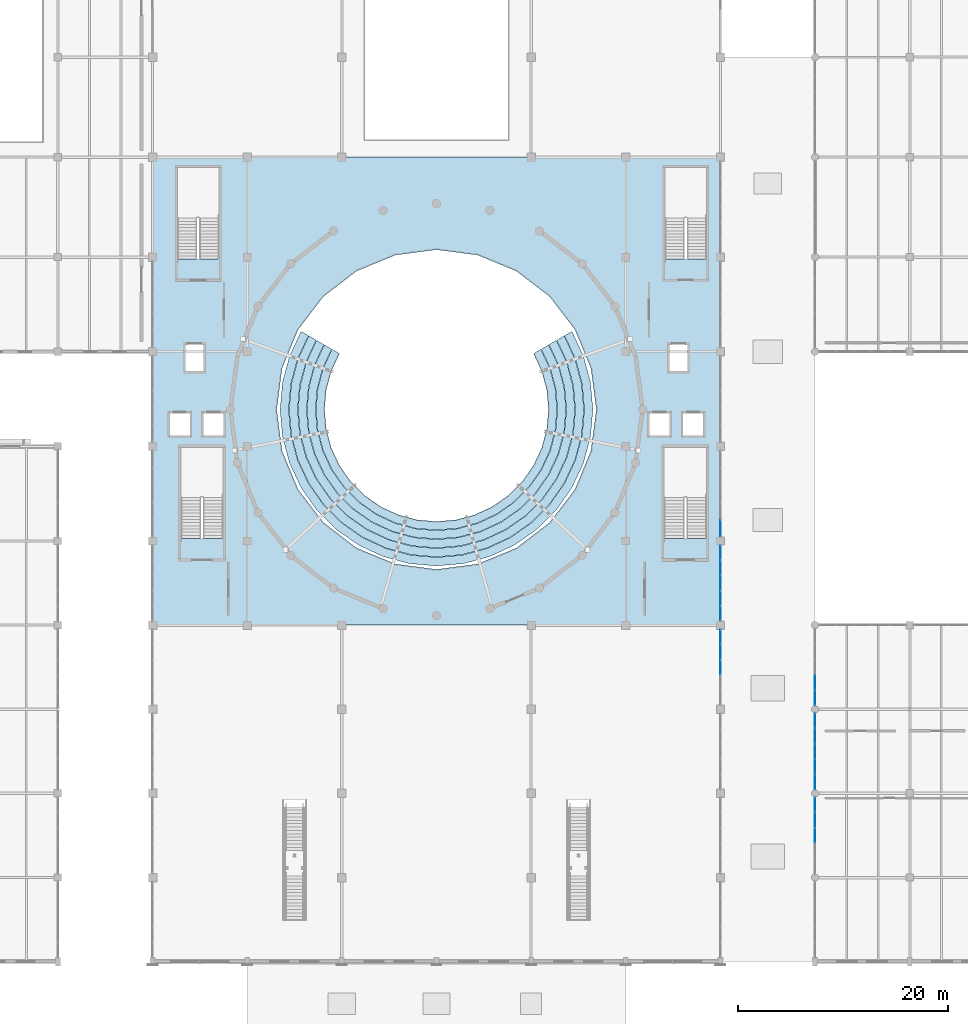
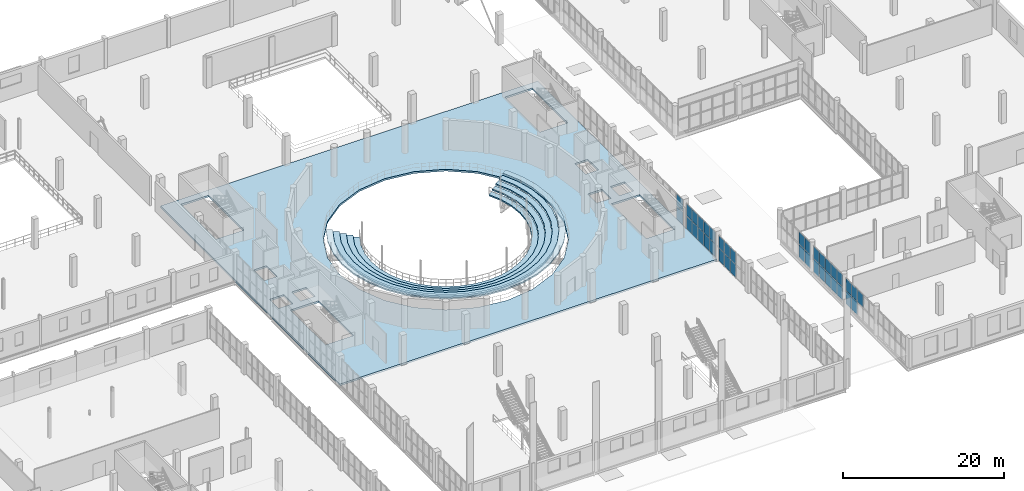
# One storey, part 59 of 93: 37 plates, 6 slabs, 6 elements without a shape of their own.
"""IFC4 building model written with IfcOpenShell, lengths in metres."""

from ifc_helpers import new_model, si_unit, direction, frame, origin, origin_2d, place, context, subcontext, project, spatial, polyline, rectangle, outline, extrude, material, layer, layer_set, type_object, element, aggregate, save


model = new_model("IFC4")

# Units and contexts
model_context = context("Model", 3, precision=1e-05, world=origin(), true_north=direction((0.0, 1.0)))
body_context = subcontext(model_context, "Body", "Model", "MODEL_VIEW")
ifc_project = project(units=[si_unit("LENGTHUNIT", "METRE"), si_unit("AREAUNIT", "SQUARE_METRE"), si_unit("VOLUMEUNIT", "CUBIC_METRE"), si_unit("PLANEANGLEUNIT", "RADIAN"), si_unit("MASSUNIT", "GRAM", prefix="KILO")], contexts=[model_context])

# Site, building, storey
site_placement = place(None, origin())
site = spatial("IfcSite", under=ifc_project, at=site_placement, CompositionType="ELEMENT")
building_placement = place(site_placement, origin())
building = spatial("IfcBuilding", under=site, at=building_placement, Name="Marnock Terrace Opera House", CompositionType="ELEMENT")
storey_placement = place(building_placement, frame((0.0, 0.0, 5.39990234375)))
storey = spatial("IfcBuildingStorey", under=building, at=storey_placement, Name="L01", CompositionType="ELEMENT", Elevation=5.39990234375)

# Curtain wall, plates
ifc_material_1 = material(Name="Anodised architectural bronze aluminium framing", Category="aluminium")
ifc_layer_1 = layer(ifc_material_1, 0.159912109375)
ifc_layer_set_1 = layer_set([ifc_layer_1], Name="Anodised architectural bronze aluminium framing")
curtain_wall_type_1 = type_object("IfcCurtainWallType", Name="CW-FOYER-80x45", PredefinedType="NOTDEFINED", material=ifc_layer_set_1)
curtain_wall_1_placement = place(storey_placement, origin())
curtain_wall_1 = element("IfcCurtainWall", 1, at=curtain_wall_1_placement, inside=storey, type_object=curtain_wall_type_1, Name="L01 glazed Beaux-Arts colonnade curtain wall CW-V1E-L01-04", PredefinedType="NOTDEFINED")
ifc_material_2 = material(Name="Double-glazed acoustic low-E laminated glass", Category="glass")
ifc_layer_2 = layer(ifc_material_2, 0.028076171875)
ifc_layer_set_2 = layer_set([ifc_layer_2], Name="Double-glazed acoustic low-E laminated glass")
plate_type = type_object("IfcPlateType", Name="CWP-GLZ-28", PredefinedType="CURTAIN_PANEL", material=ifc_layer_set_2)
plate_1_placement = place(storey_placement, frame((109.0, 36.0, 0.06005859375), z_axis=(0.0, 0.0, 1.0), x_axis=(0.0, 1.0, 0.0)))
plate_1 = element("IfcPlate", 2, at=plate_1_placement, type_object=plate_type, Name="CW-87 panel 3.1", PredefinedType="CURTAIN_PANEL", context=body_context, shape_type="SweptSolid", body=[
    extrude(rectangle(XDim=1.381591796875, YDim=0.028076171875, at=origin_2d()), origin(), (0.0, 0.0, 1.0), 1.942138671875),
])
plate_2_placement = place(storey_placement, frame((109.0, 36.0, 2.06201171875), z_axis=(0.0, 0.0, 1.0), x_axis=(0.0, 1.0, 0.0)))
plate_2 = element("IfcPlate", 3, at=plate_2_placement, type_object=plate_type, Name="CW-87 panel 3.2", PredefinedType="CURTAIN_PANEL", context=body_context, shape_type="SweptSolid", body=[
    extrude(rectangle(XDim=1.381591796875, YDim=0.028076171875, at=origin_2d()), origin(), (0.0, 0.0, 1.0), 1.785888671875),
])
plate_3_placement = place(storey_placement, frame((109.0, 37.441650390625, 0.06005859375), z_axis=(0.0, 0.0, 1.0), x_axis=(0.0, 1.0, 0.0)))
plate_3 = element("IfcPlate", 4, at=plate_3_placement, type_object=plate_type, Name="CW-87 panel 4.1", PredefinedType="CURTAIN_PANEL", context=body_context, shape_type="SweptSolid", body=[
    extrude(rectangle(XDim=1.381591796875, YDim=0.028076171875, at=origin_2d()), origin(), (0.0, 0.0, 1.0), 1.942138671875),
])
plate_4_placement = place(storey_placement, frame((109.0, 37.441650390625, 2.06201171875), z_axis=(0.0, 0.0, 1.0), x_axis=(0.0, 1.0, 0.0)))
plate_4 = element("IfcPlate", 5, at=plate_4_placement, type_object=plate_type, Name="CW-87 panel 4.2", PredefinedType="CURTAIN_PANEL", context=body_context, shape_type="SweptSolid", body=[
    extrude(rectangle(XDim=1.381591796875, YDim=0.028076171875, at=origin_2d()), origin(), (0.0, 0.0, 1.0), 1.785888671875),
])
plate_5_placement = place(storey_placement, frame((109.0, 38.8681640625, 0.06005859375), z_axis=(0.0, 0.0, 1.0), x_axis=(0.0, 1.0, 0.0)))
plate_5 = element("IfcPlate", 6, at=plate_5_placement, type_object=plate_type, Name="CW-87 panel 5.1", PredefinedType="CURTAIN_PANEL", context=body_context, shape_type="SweptSolid", body=[
    extrude(rectangle(XDim=1.3515625, YDim=0.028076171875, at=origin_2d()), origin(), (0.0, 0.0, 1.0), 1.942138671875),
])
plate_6_placement = place(storey_placement, frame((109.0, 38.8681640625, 2.06201171875), z_axis=(0.0, 0.0, 1.0), x_axis=(0.0, 1.0, 0.0)))
plate_6 = element("IfcPlate", 7, at=plate_6_placement, type_object=plate_type, Name="CW-87 panel 5.2", PredefinedType="CURTAIN_PANEL", context=body_context, shape_type="SweptSolid", body=[
    extrude(rectangle(XDim=1.3515625, YDim=0.028076171875, at=origin_2d()), origin(), (0.0, 0.0, 1.0), 1.785888671875),
])
aggregate(curtain_wall_1, [plate_1, plate_2, plate_3, plate_4, plate_5, plate_6])

curtain_wall_2_placement = place(storey_placement, origin())
curtain_wall_2 = element("IfcCurtainWall", 8, at=curtain_wall_2_placement, inside=storey, type_object=curtain_wall_type_1, Name="L01 glazed Beaux-Arts colonnade curtain wall CW-V1E-L01-05", PredefinedType="NOTDEFINED")
plate_7_placement = place(storey_placement, frame((109.0, 41.1318359375, 0.06005859375), z_axis=(0.0, 0.0, 1.0), x_axis=(0.0, 1.0, 0.0)))
plate_7 = element("IfcPlate", 9, at=plate_7_placement, type_object=plate_type, Name="CW-87 panel 1.1", PredefinedType="CURTAIN_PANEL", context=body_context, shape_type="SweptSolid", body=[
    extrude(rectangle(XDim=1.3515625, YDim=0.028076171875, at=origin_2d()), origin(), (0.0, 0.0, 1.0), 1.942138671875),
])
plate_8_placement = place(storey_placement, frame((109.0, 41.1318359375, 2.06201171875), z_axis=(0.0, 0.0, 1.0), x_axis=(0.0, 1.0, 0.0)))
plate_8 = element("IfcPlate", 10, at=plate_8_placement, type_object=plate_type, Name="CW-87 panel 1.2", PredefinedType="CURTAIN_PANEL", context=body_context, shape_type="SweptSolid", body=[
    extrude(rectangle(XDim=1.3515625, YDim=0.028076171875, at=origin_2d()), origin(), (0.0, 0.0, 1.0), 1.785888671875),
])
plate_9_placement = place(storey_placement, frame((109.0, 42.558349609375, 0.06005859375), z_axis=(0.0, 0.0, 1.0), x_axis=(0.0, 1.0, 0.0)))
plate_9 = element("IfcPlate", 11, at=plate_9_placement, type_object=plate_type, Name="CW-87 panel 2.1", PredefinedType="CURTAIN_PANEL", context=body_context, shape_type="SweptSolid", body=[
    extrude(rectangle(XDim=1.381591796875, YDim=0.028076171875, at=origin_2d()), origin(), (0.0, 0.0, 1.0), 1.942138671875),
])
plate_10_placement = place(storey_placement, frame((109.0, 42.558349609375, 2.06201171875), z_axis=(0.0, 0.0, 1.0), x_axis=(0.0, 1.0, 0.0)))
plate_10 = element("IfcPlate", 12, at=plate_10_placement, type_object=plate_type, Name="CW-87 panel 2.2", PredefinedType="CURTAIN_PANEL", context=body_context, shape_type="SweptSolid", body=[
    extrude(rectangle(XDim=1.381591796875, YDim=0.028076171875, at=origin_2d()), origin(), (0.0, 0.0, 1.0), 1.785888671875),
])
plate_11_placement = place(storey_placement, frame((109.0, 44.0, 0.06005859375), z_axis=(0.0, 0.0, 1.0), x_axis=(0.0, 1.0, 0.0)))
plate_11 = element("IfcPlate", 13, at=plate_11_placement, type_object=plate_type, Name="CW-87 panel 3.1", PredefinedType="CURTAIN_PANEL", context=body_context, shape_type="SweptSolid", body=[
    extrude(rectangle(XDim=1.381591796875, YDim=0.028076171875, at=origin_2d()), origin(), (0.0, 0.0, 1.0), 1.942138671875),
])
plate_12_placement = place(storey_placement, frame((109.0, 44.0, 2.06201171875), z_axis=(0.0, 0.0, 1.0), x_axis=(0.0, 1.0, 0.0)))
plate_12 = element("IfcPlate", 14, at=plate_12_placement, type_object=plate_type, Name="CW-87 panel 3.2", PredefinedType="CURTAIN_PANEL", context=body_context, shape_type="SweptSolid", body=[
    extrude(rectangle(XDim=1.381591796875, YDim=0.028076171875, at=origin_2d()), origin(), (0.0, 0.0, 1.0), 1.785888671875),
])
plate_13_placement = place(storey_placement, frame((109.0, 45.441650390625, 0.06005859375), z_axis=(0.0, 0.0, 1.0), x_axis=(0.0, 1.0, 0.0)))
plate_13 = element("IfcPlate", 15, at=plate_13_placement, type_object=plate_type, Name="CW-87 panel 4.1", PredefinedType="CURTAIN_PANEL", context=body_context, shape_type="SweptSolid", body=[
    extrude(rectangle(XDim=1.381591796875, YDim=0.028076171875, at=origin_2d()), origin(), (0.0, 0.0, 1.0), 1.942138671875),
])
plate_14_placement = place(storey_placement, frame((109.0, 45.441650390625, 2.06201171875), z_axis=(0.0, 0.0, 1.0), x_axis=(0.0, 1.0, 0.0)))
plate_14 = element("IfcPlate", 16, at=plate_14_placement, type_object=plate_type, Name="CW-87 panel 4.2", PredefinedType="CURTAIN_PANEL", context=body_context, shape_type="SweptSolid", body=[
    extrude(rectangle(XDim=1.381591796875, YDim=0.028076171875, at=origin_2d()), origin(), (0.0, 0.0, 1.0), 1.785888671875),
])
plate_15_placement = place(storey_placement, frame((109.0, 46.8681640625, 0.06005859375), z_axis=(0.0, 0.0, 1.0), x_axis=(0.0, 1.0, 0.0)))
plate_15 = element("IfcPlate", 17, at=plate_15_placement, type_object=plate_type, Name="CW-87 panel 5.1", PredefinedType="CURTAIN_PANEL", context=body_context, shape_type="SweptSolid", body=[
    extrude(rectangle(XDim=1.3515625, YDim=0.028076171875, at=origin_2d()), origin(), (0.0, 0.0, 1.0), 1.942138671875),
])
plate_16_placement = place(storey_placement, frame((109.0, 46.8681640625, 2.06201171875), z_axis=(0.0, 0.0, 1.0), x_axis=(0.0, 1.0, 0.0)))
plate_16 = element("IfcPlate", 18, at=plate_16_placement, type_object=plate_type, Name="CW-87 panel 5.2", PredefinedType="CURTAIN_PANEL", context=body_context, shape_type="SweptSolid", body=[
    extrude(rectangle(XDim=1.3515625, YDim=0.028076171875, at=origin_2d()), origin(), (0.0, 0.0, 1.0), 1.785888671875),
])
aggregate(curtain_wall_2, [plate_7, plate_8, plate_9, plate_10, plate_11, plate_12, plate_13, plate_14, plate_15, plate_16])

ifc_layer_3 = layer(ifc_material_1, 0.159912109375)
ifc_layer_set_3 = layer_set([ifc_layer_3], Name="Anodised architectural bronze aluminium framing")
curtain_wall_type_2 = type_object("IfcCurtainWallType", Name="CW-FOYER-90x45", PredefinedType="NOTDEFINED", material=ifc_layer_set_3)
curtain_wall_3_placement = place(storey_placement, origin())
curtain_wall_3 = element("IfcCurtainWall", 19, at=curtain_wall_3_placement, inside=storey, type_object=curtain_wall_type_2, Name="L01 glazed Beaux-Arts colonnade curtain wall CW-V1E-L01-06", PredefinedType="NOTDEFINED")
plate_17_placement = place(storey_placement, frame((109.0, 49.231689453125, 0.06005859375), z_axis=(0.0, 0.0, 1.0), x_axis=(0.0, 1.0, 0.0)))
plate_17 = element("IfcPlate", 20, at=plate_17_placement, type_object=plate_type, Name="CW-27 panel 1.1", PredefinedType="CURTAIN_PANEL", context=body_context, shape_type="SweptSolid", body=[
    extrude(rectangle(XDim=1.551513671875, YDim=0.028076171875, at=origin_2d()), origin(), (0.0, 0.0, 1.0), 1.942138671875),
])
plate_18_placement = place(storey_placement, frame((109.0, 49.231689453125, 2.06201171875), z_axis=(0.0, 0.0, 1.0), x_axis=(0.0, 1.0, 0.0)))
plate_18 = element("IfcPlate", 21, at=plate_18_placement, type_object=plate_type, Name="CW-27 panel 1.2", PredefinedType="CURTAIN_PANEL", context=body_context, shape_type="SweptSolid", body=[
    extrude(rectangle(XDim=1.551513671875, YDim=0.028076171875, at=origin_2d()), origin(), (0.0, 0.0, 1.0), 1.785888671875),
])
aggregate(curtain_wall_3, [plate_17, plate_18])

ifc_layer_4 = layer(ifc_material_1, 0.159912109375)
ifc_layer_set_4 = layer_set([ifc_layer_4], Name="Anodised architectural bronze aluminium framing")
curtain_wall_type_3 = type_object("IfcCurtainWallType", Name="CW-LOGGIA-86x45", PredefinedType="NOTDEFINED", material=ifc_layer_set_4)
curtain_wall_4_placement = place(storey_placement, origin())
curtain_wall_4 = element("IfcCurtainWall", 22, at=curtain_wall_4_placement, inside=storey, type_object=curtain_wall_type_3, Name="L01 glazed Beaux-Arts colonnade curtain wall CW-V5-L01-W2", PredefinedType="NOTDEFINED")
plate_19_placement = place(storey_placement, frame((118.0, 20.0, 2.100830078125), z_axis=(0.0, 0.0, 1.0), x_axis=(0.0, 1.0, 0.0)))
plate_19 = element("IfcPlate", 23, at=plate_19_placement, type_object=plate_type, Name="CW-61 panel 3.2", PredefinedType="CURTAIN_PANEL", context=body_context, shape_type="SweptSolid", body=[
    extrude(rectangle(XDim=1.401611328125, YDim=0.028076171875, at=origin_2d()), origin(), (0.0, 0.0, 1.0), 1.8212890625),
])
plate_20_placement = place(storey_placement, frame((118.0, 21.461669921875, 0.06005859375), z_axis=(0.0, 0.0, 1.0), x_axis=(0.0, 1.0, 0.0)))
plate_20 = element("IfcPlate", 24, at=plate_20_placement, type_object=plate_type, Name="CW-61 panel 4.1", PredefinedType="CURTAIN_PANEL", context=body_context, shape_type="SweptSolid", body=[
    extrude(rectangle(XDim=1.401611328125, YDim=0.028076171875, at=origin_2d()), origin(), (0.0, 0.0, 1.0), 1.980712890625),
])
plate_21_placement = place(storey_placement, frame((118.0, 21.461669921875, 2.100830078125), z_axis=(0.0, 0.0, 1.0), x_axis=(0.0, 1.0, 0.0)))
plate_21 = element("IfcPlate", 25, at=plate_21_placement, type_object=plate_type, Name="CW-61 panel 4.2", PredefinedType="CURTAIN_PANEL", context=body_context, shape_type="SweptSolid", body=[
    extrude(rectangle(XDim=1.401611328125, YDim=0.028076171875, at=origin_2d()), origin(), (0.0, 0.0, 1.0), 1.8212890625),
])
plate_22_placement = place(storey_placement, frame((118.0, 22.908203125, 0.06005859375), z_axis=(0.0, 0.0, 1.0), x_axis=(0.0, 1.0, 0.0)))
plate_22 = element("IfcPlate", 26, at=plate_22_placement, type_object=plate_type, Name="CW-61 panel 5.1", PredefinedType="CURTAIN_PANEL", context=body_context, shape_type="SweptSolid", body=[
    extrude(rectangle(XDim=1.37158203125, YDim=0.028076171875, at=origin_2d()), origin(), (0.0, 0.0, 1.0), 1.980712890625),
])
plate_23_placement = place(storey_placement, frame((118.0, 22.908203125, 2.100830078125), z_axis=(0.0, 0.0, 1.0), x_axis=(0.0, 1.0, 0.0)))
plate_23 = element("IfcPlate", 27, at=plate_23_placement, type_object=plate_type, Name="CW-61 panel 5.2", PredefinedType="CURTAIN_PANEL", context=body_context, shape_type="SweptSolid", body=[
    extrude(rectangle(XDim=1.37158203125, YDim=0.028076171875, at=origin_2d()), origin(), (0.0, 0.0, 1.0), 1.8212890625),
])
aggregate(curtain_wall_4, [plate_19, plate_20, plate_21, plate_22, plate_23])

curtain_wall_5_placement = place(storey_placement, origin())
curtain_wall_5 = element("IfcCurtainWall", 28, at=curtain_wall_5_placement, inside=storey, type_object=curtain_wall_type_3, Name="L01 glazed Beaux-Arts colonnade curtain wall CW-V5-L01-W3", PredefinedType="NOTDEFINED")
plate_24_placement = place(storey_placement, frame((118.0, 25.091796875, 0.06005859375), z_axis=(0.0, 0.0, 1.0), x_axis=(0.0, 1.0, 0.0)))
plate_24 = element("IfcPlate", 29, at=plate_24_placement, type_object=plate_type, Name="CW-61 panel 1.1", PredefinedType="CURTAIN_PANEL", context=body_context, shape_type="SweptSolid", body=[
    extrude(rectangle(XDim=1.37158203125, YDim=0.028076171875, at=origin_2d()), origin(), (0.0, 0.0, 1.0), 1.980712890625),
])
plate_25_placement = place(storey_placement, frame((118.0, 25.091796875, 2.100830078125), z_axis=(0.0, 0.0, 1.0), x_axis=(0.0, 1.0, 0.0)))
plate_25 = element("IfcPlate", 30, at=plate_25_placement, type_object=plate_type, Name="CW-61 panel 1.2", PredefinedType="CURTAIN_PANEL", context=body_context, shape_type="SweptSolid", body=[
    extrude(rectangle(XDim=1.37158203125, YDim=0.028076171875, at=origin_2d()), origin(), (0.0, 0.0, 1.0), 1.8212890625),
])
plate_26_placement = place(storey_placement, frame((118.0, 26.538330078125, 0.06005859375), z_axis=(0.0, 0.0, 1.0), x_axis=(0.0, 1.0, 0.0)))
plate_26 = element("IfcPlate", 31, at=plate_26_placement, type_object=plate_type, Name="CW-61 panel 2.1", PredefinedType="CURTAIN_PANEL", context=body_context, shape_type="SweptSolid", body=[
    extrude(rectangle(XDim=1.401611328125, YDim=0.028076171875, at=origin_2d()), origin(), (0.0, 0.0, 1.0), 1.980712890625),
])
plate_27_placement = place(storey_placement, frame((118.0, 26.538330078125, 2.100830078125), z_axis=(0.0, 0.0, 1.0), x_axis=(0.0, 1.0, 0.0)))
plate_27 = element("IfcPlate", 32, at=plate_27_placement, type_object=plate_type, Name="CW-61 panel 2.2", PredefinedType="CURTAIN_PANEL", context=body_context, shape_type="SweptSolid", body=[
    extrude(rectangle(XDim=1.401611328125, YDim=0.028076171875, at=origin_2d()), origin(), (0.0, 0.0, 1.0), 1.8212890625),
])
plate_28_placement = place(storey_placement, frame((118.0, 28.0, 0.06005859375), z_axis=(0.0, 0.0, 1.0), x_axis=(0.0, 1.0, 0.0)))
plate_28 = element("IfcPlate", 33, at=plate_28_placement, type_object=plate_type, Name="CW-61 panel 3.1", PredefinedType="CURTAIN_PANEL", context=body_context, shape_type="SweptSolid", body=[
    extrude(rectangle(XDim=1.401611328125, YDim=0.028076171875, at=origin_2d()), origin(), (0.0, 0.0, 1.0), 1.980712890625),
])
plate_29_placement = place(storey_placement, frame((118.0, 28.0, 2.100830078125), z_axis=(0.0, 0.0, 1.0), x_axis=(0.0, 1.0, 0.0)))
plate_29 = element("IfcPlate", 34, at=plate_29_placement, type_object=plate_type, Name="CW-61 panel 3.2", PredefinedType="CURTAIN_PANEL", context=body_context, shape_type="SweptSolid", body=[
    extrude(rectangle(XDim=1.401611328125, YDim=0.028076171875, at=origin_2d()), origin(), (0.0, 0.0, 1.0), 1.8212890625),
])
plate_30_placement = place(storey_placement, frame((118.0, 29.461669921875, 0.06005859375), z_axis=(0.0, 0.0, 1.0), x_axis=(0.0, 1.0, 0.0)))
plate_30 = element("IfcPlate", 35, at=plate_30_placement, type_object=plate_type, Name="CW-61 panel 4.1", PredefinedType="CURTAIN_PANEL", context=body_context, shape_type="SweptSolid", body=[
    extrude(rectangle(XDim=1.401611328125, YDim=0.028076171875, at=origin_2d()), origin(), (0.0, 0.0, 1.0), 1.980712890625),
])
plate_31_placement = place(storey_placement, frame((118.0, 29.461669921875, 2.100830078125), z_axis=(0.0, 0.0, 1.0), x_axis=(0.0, 1.0, 0.0)))
plate_31 = element("IfcPlate", 36, at=plate_31_placement, type_object=plate_type, Name="CW-61 panel 4.2", PredefinedType="CURTAIN_PANEL", context=body_context, shape_type="SweptSolid", body=[
    extrude(rectangle(XDim=1.401611328125, YDim=0.028076171875, at=origin_2d()), origin(), (0.0, 0.0, 1.0), 1.8212890625),
])
plate_32_placement = place(storey_placement, frame((118.0, 30.908203125, 0.06005859375), z_axis=(0.0, 0.0, 1.0), x_axis=(0.0, 1.0, 0.0)))
plate_32 = element("IfcPlate", 37, at=plate_32_placement, type_object=plate_type, Name="CW-61 panel 5.1", PredefinedType="CURTAIN_PANEL", context=body_context, shape_type="SweptSolid", body=[
    extrude(rectangle(XDim=1.37158203125, YDim=0.028076171875, at=origin_2d()), origin(), (0.0, 0.0, 1.0), 1.980712890625),
])
plate_33_placement = place(storey_placement, frame((118.0, 30.908203125, 2.100830078125), z_axis=(0.0, 0.0, 1.0), x_axis=(0.0, 1.0, 0.0)))
plate_33 = element("IfcPlate", 38, at=plate_33_placement, type_object=plate_type, Name="CW-61 panel 5.2", PredefinedType="CURTAIN_PANEL", context=body_context, shape_type="SweptSolid", body=[
    extrude(rectangle(XDim=1.37158203125, YDim=0.028076171875, at=origin_2d()), origin(), (0.0, 0.0, 1.0), 1.8212890625),
])
aggregate(curtain_wall_5, [plate_24, plate_25, plate_26, plate_27, plate_28, plate_29, plate_30, plate_31, plate_32, plate_33])

curtain_wall_6_placement = place(storey_placement, origin())
curtain_wall_6 = element("IfcCurtainWall", 39, at=curtain_wall_6_placement, inside=storey, type_object=curtain_wall_type_3, Name="L01 glazed Beaux-Arts colonnade curtain wall CW-V5-L01-W4", PredefinedType="NOTDEFINED")
plate_34_placement = place(storey_placement, frame((118.0, 33.091796875, 0.06005859375), z_axis=(0.0, 0.0, 1.0), x_axis=(0.0, 1.0, 0.0)))
plate_34 = element("IfcPlate", 40, at=plate_34_placement, type_object=plate_type, Name="CW-61 panel 1.1", PredefinedType="CURTAIN_PANEL", context=body_context, shape_type="SweptSolid", body=[
    extrude(rectangle(XDim=1.37158203125, YDim=0.028076171875, at=origin_2d()), origin(), (0.0, 0.0, 1.0), 1.980712890625),
])
plate_35_placement = place(storey_placement, frame((118.0, 33.091796875, 2.100830078125), z_axis=(0.0, 0.0, 1.0), x_axis=(0.0, 1.0, 0.0)))
plate_35 = element("IfcPlate", 41, at=plate_35_placement, type_object=plate_type, Name="CW-61 panel 1.2", PredefinedType="CURTAIN_PANEL", context=body_context, shape_type="SweptSolid", body=[
    extrude(rectangle(XDim=1.37158203125, YDim=0.028076171875, at=origin_2d()), origin(), (0.0, 0.0, 1.0), 1.8212890625),
])
plate_36_placement = place(storey_placement, frame((118.0, 34.538330078125, 0.06005859375), z_axis=(0.0, 0.0, 1.0), x_axis=(0.0, 1.0, 0.0)))
plate_36 = element("IfcPlate", 42, at=plate_36_placement, type_object=plate_type, Name="CW-61 panel 2.1", PredefinedType="CURTAIN_PANEL", context=body_context, shape_type="SweptSolid", body=[
    extrude(rectangle(XDim=1.401611328125, YDim=0.028076171875, at=origin_2d()), origin(), (0.0, 0.0, 1.0), 1.980712890625),
])
plate_37_placement = place(storey_placement, frame((118.0, 34.538330078125, 2.100830078125), z_axis=(0.0, 0.0, 1.0), x_axis=(0.0, 1.0, 0.0)))
plate_37 = element("IfcPlate", 43, at=plate_37_placement, type_object=plate_type, Name="CW-61 panel 2.2", PredefinedType="CURTAIN_PANEL", context=body_context, shape_type="SweptSolid", body=[
    extrude(rectangle(XDim=1.401611328125, YDim=0.028076171875, at=origin_2d()), origin(), (0.0, 0.0, 1.0), 1.8212890625),
])
aggregate(curtain_wall_6, [plate_34, plate_35, plate_36, plate_37])

# Slabs
ifc_material_3 = material(Name="Concrete N40 (f'c = 40 MPa)", Category="concrete")
ifc_layer_5 = layer(ifc_material_3, 0.280029296875)
ifc_layer_set_5 = layer_set([ifc_layer_5], Name="Concrete N40 (f'c = 40 MPa)")
slab_type_1 = type_object("IfcSlabType", Name="SL-FLR-280", PredefinedType="FLOOR", material=ifc_layer_set_5)
slab_1_placement = place(storey_placement, frame((0.0, 0.0, -0.27978515625)))
element("IfcSlab", 44, at=slab_1_placement, inside=storey, type_object=slab_type_1, Name="L01 Auditorium promenade structural floor slab", PredefinedType="FLOOR", context=body_context, shape_type="SweptSolid", body=[
    extrude(outline(polyline([(55.0, 40.0), (109.0, 40.0), (109.0, 84.5), (55.0, 84.5), (55.0, 40.0)]), holes=[polyline([(61.719970703125, 48.239990234375), (61.719970703125, 56.919921875), (57.679931640625, 56.919921875), (57.679931640625, 48.239990234375), (61.719970703125, 48.239990234375)]), polyline([(56.580078125, 57.97998046875), (58.6201171875, 57.97998046875), (58.6201171875, 60.219970703125), (56.580078125, 60.219970703125), (56.580078125, 57.97998046875)]), polyline([(59.780029296875, 57.97998046875), (61.820068359375, 57.97998046875), (61.820068359375, 60.219970703125), (59.780029296875, 60.219970703125), (59.780029296875, 57.97998046875)]), polyline([(107.679931640625, 48.239990234375), (107.679931640625, 56.919921875), (103.639892578125, 56.919921875), (103.639892578125, 48.239990234375), (107.679931640625, 48.239990234375)]), polyline([(102.179931640625, 57.97998046875), (104.219970703125, 57.97998046875), (104.219970703125, 60.219970703125), (102.179931640625, 60.219970703125), (102.179931640625, 57.97998046875)]), polyline([(105.3798828125, 57.97998046875), (107.419921875, 57.97998046875), (107.419921875, 60.219970703125), (105.3798828125, 60.219970703125), (105.3798828125, 57.97998046875)]), polyline([(61.320068359375, 74.800048828125), (61.320068359375, 83.52001953125), (57.360107421875, 83.52001953125), (57.360107421875, 74.800048828125), (61.320068359375, 74.800048828125)]), polyline([(58.080078125, 64.080078125), (59.919921875, 64.080078125), (59.919921875, 66.719970703125), (58.080078125, 66.719970703125), (58.080078125, 64.080078125)]), polyline([(107.679931640625, 74.800048828125), (107.679931640625, 83.52001953125), (103.719970703125, 83.52001953125), (103.719970703125, 74.800048828125), (107.679931640625, 74.800048828125)]), polyline([(104.080078125, 64.080078125), (105.919921875, 64.080078125), (105.919921875, 66.719970703125), (104.080078125, 66.719970703125), (104.080078125, 64.080078125)]), polyline([(97.199951171875, 60.5), (96.681884765625, 64.43408203125), (95.1640625, 68.10009765625), (92.748046875, 71.248046875), (89.60009765625, 73.6640625), (85.93408203125, 75.181884765625), (82.0, 75.699951171875), (78.06591796875, 75.181884765625), (74.39990234375, 73.6640625), (71.251953125, 71.248046875), (68.8359375, 68.10009765625), (67.318115234375, 64.43408203125), (66.800048828125, 60.5), (67.318115234375, 56.56591796875), (68.8359375, 52.89990234375), (71.251953125, 49.751953125), (74.39990234375, 47.3359375), (78.06591796875, 45.818115234375), (82.0, 45.300048828125), (85.93408203125, 45.818115234375), (89.60009765625, 47.3359375), (92.748046875, 49.751953125), (95.1640625, 52.89990234375), (96.681884765625, 56.56591796875), (97.199951171875, 60.5)])]), origin(), (0.0, 0.0, 1.0), 0.27978515625),
])
ifc_layer_6 = layer(ifc_material_3, 0.215087890625)
ifc_layer_set_6 = layer_set([ifc_layer_6], Name="Concrete N40 (f'c = 40 MPa)")
slab_type_2 = type_object("IfcSlabType", Name="SL-TIER-215", PredefinedType="USERDEFINED", material=ifc_layer_set_6)
slab_2_placement = place(storey_placement, frame((0.0, 0.0, 0.135009765625)))
element("IfcSlab", 45, at=slab_2_placement, inside=storey, type_object=slab_type_2, Name="L01 Main Auditorium horseshoe seating tier 1", ObjectType="SEATING TIER", PredefinedType="USERDEFINED", context=body_context, shape_type="SweptSolid", body=[
    extrude(outline(polyline([(72.066650390625, 66.235107421875), (71.2216796875, 64.423095703125), (70.704345703125, 62.49169921875), (70.530029296875, 60.5), (70.704345703125, 58.50830078125), (71.2216796875, 56.576904296875), (72.066650390625, 54.764892578125), (73.21337890625, 53.127197265625), (74.627197265625, 51.71337890625), (76.264892578125, 50.566650390625), (78.076904296875, 49.7216796875), (80.00830078125, 49.204345703125), (82.0, 49.030029296875), (83.99169921875, 49.204345703125), (85.923095703125, 49.7216796875), (87.735107421875, 50.566650390625), (89.372802734375, 51.71337890625), (90.78662109375, 53.127197265625), (91.933349609375, 54.764892578125), (92.7783203125, 56.576904296875), (93.295654296875, 58.50830078125), (93.469970703125, 60.5), (93.295654296875, 62.49169921875), (92.7783203125, 64.423095703125), (91.933349609375, 66.235107421875), (91.22314453125, 65.824951171875), (92.0078125, 64.142578125), (92.48828125, 62.349365234375), (92.64990234375, 60.5), (92.48828125, 58.650634765625), (92.0078125, 56.857421875), (91.22314453125, 55.175048828125), (90.158447265625, 53.654296875), (88.845703125, 52.341552734375), (87.324951171875, 51.27685546875), (85.642578125, 50.4921875), (83.849365234375, 50.01171875), (82.0, 49.85009765625), (80.150634765625, 50.01171875), (78.357421875, 50.4921875), (76.675048828125, 51.27685546875), (75.154296875, 52.341552734375), (73.841552734375, 53.654296875), (72.77685546875, 55.175048828125), (71.9921875, 56.857421875), (71.51171875, 58.650634765625), (71.35009765625, 60.5), (71.51171875, 62.349365234375), (71.9921875, 64.142578125), (72.77685546875, 65.824951171875), (72.066650390625, 66.235107421875)])), origin(), (0.0, 0.0, 1.0), 0.215087890625),
])
slab_3_placement = place(storey_placement, frame((0.0, 0.0, 0.43505859375)))
element("IfcSlab", 46, at=slab_3_placement, inside=storey, type_object=slab_type_2, Name="L01 Main Auditorium horseshoe seating tier 2", ObjectType="SEATING TIER", PredefinedType="USERDEFINED", context=body_context, shape_type="SweptSolid", body=[
    extrude(outline(polyline([(71.33056640625, 66.659912109375), (70.423095703125, 64.713623046875), (69.8671875, 62.639404296875), (69.679931640625, 60.5), (69.8671875, 58.360595703125), (70.423095703125, 56.286376953125), (71.33056640625, 54.340087890625), (72.562255859375, 52.580810546875), (74.080810546875, 51.062255859375), (75.840087890625, 49.83056640625), (77.786376953125, 48.923095703125), (79.860595703125, 48.3671875), (82.0, 48.179931640625), (84.139404296875, 48.3671875), (86.213623046875, 48.923095703125), (88.159912109375, 49.83056640625), (89.919189453125, 51.062255859375), (91.437744140625, 52.580810546875), (92.66943359375, 54.340087890625), (93.576904296875, 56.286376953125), (94.1328125, 58.360595703125), (94.320068359375, 60.5), (94.1328125, 62.639404296875), (93.576904296875, 64.713623046875), (92.66943359375, 66.659912109375), (91.959228515625, 66.25), (92.806396484375, 64.43310546875), (93.3251953125, 62.4970703125), (93.5, 60.5), (93.3251953125, 58.5029296875), (92.806396484375, 56.56689453125), (91.959228515625, 54.75), (90.8095703125, 53.10791015625), (89.39208984375, 51.6904296875), (87.75, 50.540771484375), (85.93310546875, 49.693603515625), (83.9970703125, 49.1748046875), (82.0, 49.0), (80.0029296875, 49.1748046875), (78.06689453125, 49.693603515625), (76.25, 50.540771484375), (74.60791015625, 51.6904296875), (73.1904296875, 53.10791015625), (72.040771484375, 54.75), (71.193603515625, 56.56689453125), (70.6748046875, 58.5029296875), (70.5, 60.5), (70.6748046875, 62.4970703125), (71.193603515625, 64.43310546875), (72.040771484375, 66.25), (71.33056640625, 66.659912109375)])), origin(), (0.0, 0.0, 1.0), 0.215087890625),
])
slab_4_placement = place(storey_placement, frame((0.0, 0.0, 0.735107421875)))
element("IfcSlab", 47, at=slab_4_placement, inside=storey, type_object=slab_type_2, Name="L01 Main Auditorium horseshoe seating tier 3", ObjectType="SEATING TIER", PredefinedType="USERDEFINED", context=body_context, shape_type="SweptSolid", body=[
    extrude(outline(polyline([(70.594482421875, 67.0849609375), (69.624267578125, 65.00439453125), (69.030029296875, 62.786865234375), (68.830078125, 60.5), (69.030029296875, 58.213134765625), (69.624267578125, 55.99560546875), (70.594482421875, 53.9150390625), (71.9111328125, 52.034423828125), (73.534423828125, 50.4111328125), (75.4150390625, 49.094482421875), (77.49560546875, 48.124267578125), (79.713134765625, 47.530029296875), (82.0, 47.330078125), (84.286865234375, 47.530029296875), (86.50439453125, 48.124267578125), (88.5849609375, 49.094482421875), (90.465576171875, 50.4111328125), (92.0888671875, 52.034423828125), (93.405517578125, 53.9150390625), (94.375732421875, 55.99560546875), (94.969970703125, 58.213134765625), (95.169921875, 60.5), (94.969970703125, 62.786865234375), (94.375732421875, 65.00439453125), (93.405517578125, 67.0849609375), (92.6953125, 66.675048828125), (93.605224609375, 64.723876953125), (94.162353515625, 62.64453125), (94.35009765625, 60.5), (94.162353515625, 58.35546875), (93.605224609375, 56.276123046875), (92.6953125, 54.324951171875), (91.460693359375, 52.5615234375), (89.9384765625, 51.039306640625), (88.175048828125, 49.8046875), (86.223876953125, 48.894775390625), (84.14453125, 48.337646484375), (82.0, 48.14990234375), (79.85546875, 48.337646484375), (77.776123046875, 48.894775390625), (75.824951171875, 49.8046875), (74.0615234375, 51.039306640625), (72.539306640625, 52.5615234375), (71.3046875, 54.324951171875), (70.394775390625, 56.276123046875), (69.837646484375, 58.35546875), (69.64990234375, 60.5), (69.837646484375, 62.64453125), (70.394775390625, 64.723876953125), (71.3046875, 66.675048828125), (70.594482421875, 67.0849609375)])), origin(), (0.0, 0.0, 1.0), 0.215087890625),
])
slab_5_placement = place(storey_placement, frame((0.0, 0.0, 1.03515625)))
element("IfcSlab", 48, at=slab_5_placement, inside=storey, type_object=slab_type_2, Name="L01 Main Auditorium horseshoe seating tier 4", ObjectType="SEATING TIER", PredefinedType="USERDEFINED", context=body_context, shape_type="SweptSolid", body=[
    extrude(outline(polyline([(69.8583984375, 67.510009765625), (68.825439453125, 65.295166015625), (68.193115234375, 62.9345703125), (67.97998046875, 60.5), (68.193115234375, 58.0654296875), (68.825439453125, 55.704833984375), (69.8583984375, 53.489990234375), (71.260009765625, 51.488037109375), (72.988037109375, 49.760009765625), (74.989990234375, 48.3583984375), (77.204833984375, 47.325439453125), (79.5654296875, 46.693115234375), (82.0, 46.47998046875), (84.4345703125, 46.693115234375), (86.795166015625, 47.325439453125), (89.010009765625, 48.3583984375), (91.011962890625, 49.760009765625), (92.739990234375, 51.488037109375), (94.1416015625, 53.489990234375), (95.174560546875, 55.704833984375), (95.806884765625, 58.0654296875), (96.02001953125, 60.5), (95.806884765625, 62.9345703125), (95.174560546875, 65.295166015625), (94.1416015625, 67.510009765625), (93.431396484375, 67.10009765625), (94.40380859375, 65.0146484375), (94.99951171875, 62.792236328125), (95.199951171875, 60.5), (94.99951171875, 58.207763671875), (94.40380859375, 55.9853515625), (93.431396484375, 53.89990234375), (92.11181640625, 52.01513671875), (90.48486328125, 50.38818359375), (88.60009765625, 49.068603515625), (86.5146484375, 48.09619140625), (84.292236328125, 47.50048828125), (82.0, 47.300048828125), (79.707763671875, 47.50048828125), (77.4853515625, 48.09619140625), (75.39990234375, 49.068603515625), (73.51513671875, 50.38818359375), (71.88818359375, 52.01513671875), (70.568603515625, 53.89990234375), (69.59619140625, 55.9853515625), (69.00048828125, 58.207763671875), (68.800048828125, 60.5), (69.00048828125, 62.792236328125), (69.59619140625, 65.0146484375), (70.568603515625, 67.10009765625), (69.8583984375, 67.510009765625)])), origin(), (0.0, 0.0, 1.0), 0.21484375),
])
slab_6_placement = place(storey_placement, frame((0.0, 0.0, 1.335205078125)))
element("IfcSlab", 49, at=slab_6_placement, inside=storey, type_object=slab_type_2, Name="L01 Main Auditorium horseshoe seating tier 5", ObjectType="SEATING TIER", PredefinedType="USERDEFINED", context=body_context, shape_type="SweptSolid", body=[
    extrude(outline(polyline([(69.122314453125, 67.93505859375), (68.02685546875, 65.585693359375), (67.35595703125, 63.08203125), (67.1298828125, 60.5), (67.35595703125, 57.91796875), (68.02685546875, 55.414306640625), (69.122314453125, 53.06494140625), (70.60888671875, 50.941650390625), (72.441650390625, 49.10888671875), (74.56494140625, 47.622314453125), (76.914306640625, 46.52685546875), (79.41796875, 45.85595703125), (82.0, 45.6298828125), (84.58203125, 45.85595703125), (87.085693359375, 46.52685546875), (89.43505859375, 47.622314453125), (91.558349609375, 49.10888671875), (93.39111328125, 50.941650390625), (94.877685546875, 53.06494140625), (95.97314453125, 55.414306640625), (96.64404296875, 57.91796875), (96.8701171875, 60.5), (96.64404296875, 63.08203125), (95.97314453125, 65.585693359375), (94.877685546875, 67.93505859375), (94.167724609375, 67.52490234375), (95.20263671875, 65.305419921875), (95.83642578125, 62.939697265625), (96.050048828125, 60.5), (95.83642578125, 58.060302734375), (95.20263671875, 55.694580078125), (94.167724609375, 53.47509765625), (92.762939453125, 51.46875), (91.03125, 49.737060546875), (89.02490234375, 48.332275390625), (86.805419921875, 47.29736328125), (84.439697265625, 46.66357421875), (82.0, 46.449951171875), (79.560302734375, 46.66357421875), (77.194580078125, 47.29736328125), (74.97509765625, 48.332275390625), (72.96875, 49.737060546875), (71.237060546875, 51.46875), (69.832275390625, 53.47509765625), (68.79736328125, 55.694580078125), (68.16357421875, 58.060302734375), (67.949951171875, 60.5), (68.16357421875, 62.939697265625), (68.79736328125, 65.305419921875), (69.832275390625, 67.52490234375), (69.122314453125, 67.93505859375)])), origin(), (0.0, 0.0, 1.0), 0.21484375),
])

save(model, "model.ifc")
